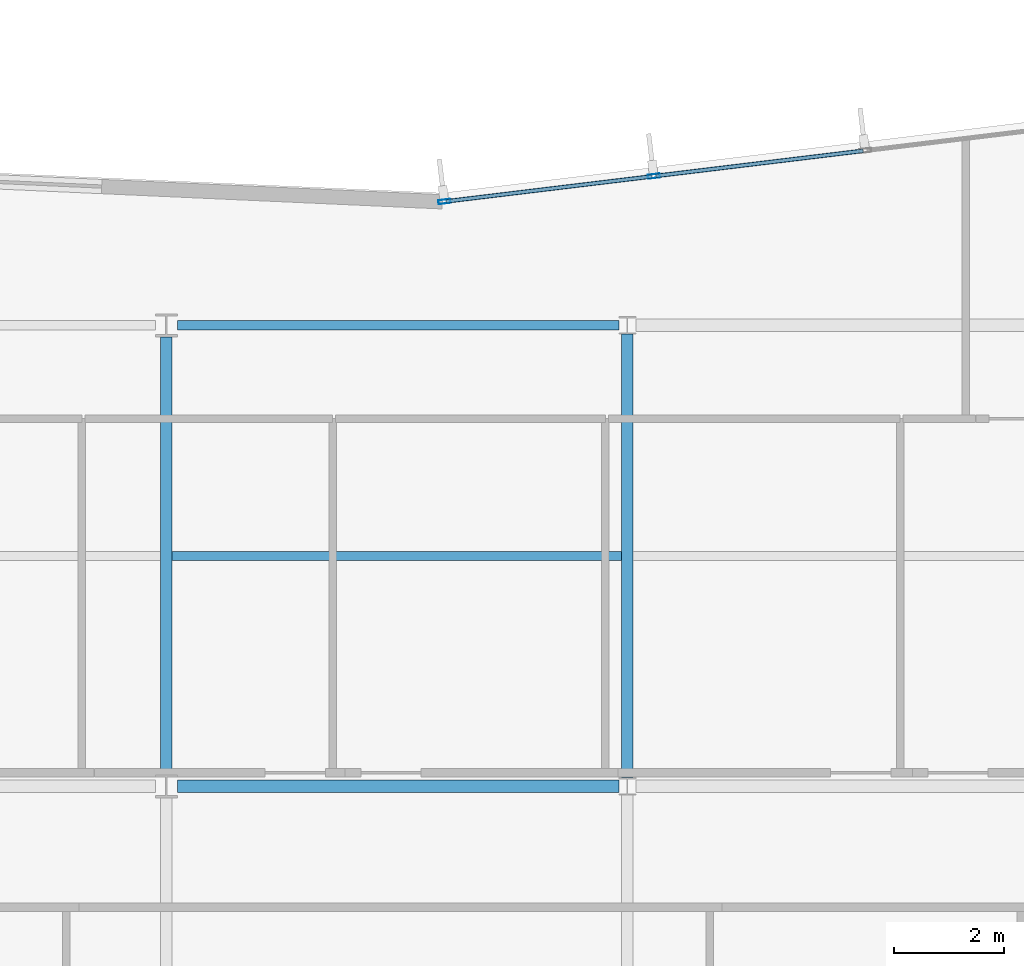
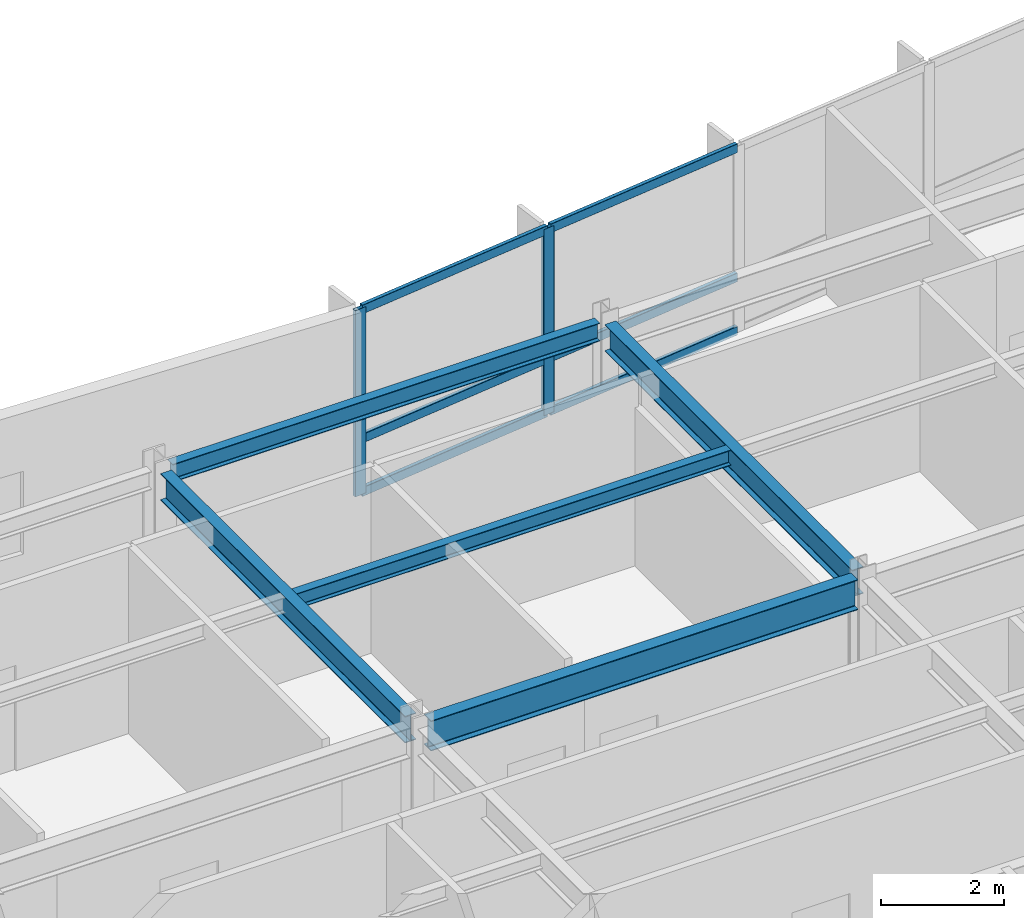
# One storey, part 6 of 17: 8 members, 5 beams, 1 element without a shape of its own.
"""IFC4 building model written with IfcOpenShell, lengths in metres."""

from ifc_helpers import new_model, si_unit, direction, frame, origin, origin_2d, place, context, subcontext, project, spatial, hollow_rectangle, i_section, extrude, material, layer, layer_set, material_profile, profile_set, type_object, element, aggregate, save


model = new_model("IFC4")

# Units and contexts
model_context = context("Model", 3, precision=1e-05, world=origin(), true_north=direction((0.0, 1.0)))
body_context = subcontext(model_context, "Body", "Model", "MODEL_VIEW")
ifc_project = project(units=[si_unit("LENGTHUNIT", "METRE"), si_unit("AREAUNIT", "SQUARE_METRE"), si_unit("VOLUMEUNIT", "CUBIC_METRE"), si_unit("PLANEANGLEUNIT", "RADIAN"), si_unit("MASSUNIT", "GRAM", prefix="KILO")], contexts=[model_context])

# Site, building, storey
site_placement = place(None, origin())
site = spatial("IfcSite", under=ifc_project, at=site_placement, CompositionType="ELEMENT")
building_placement = place(site_placement, origin())
building = spatial("IfcBuilding", under=site, at=building_placement, Name="Varnakote Quay Hospital", CompositionType="ELEMENT")
storey_placement = place(building_placement, frame((0.0, 0.0, 127.050048828125)))
storey = spatial("IfcBuildingStorey", under=building, at=storey_placement, Name="L31", CompositionType="ELEMENT", Elevation=127.050048828125)

# Beams
ifc_material_1 = material(Name="Structural steel AS/NZS 3679.1 Grade 350 L0 (fy 340 MPa)", Category="steel")
ifc_material_profile_1 = material_profile(ifc_material_1, i_section(OverallWidth=0.208984375, OverallDepth=0.532958984375, WebThickness=0.01025390625, FlangeThickness=0.015625, FilletRadius=0.013916015625, at=origin_2d()), Name="530UB92.4")
ifc_profile_set_1 = profile_set([ifc_material_profile_1], Name="Structural steel AS/NZS 3679.1 Grade 350 L0 (fy 340 MPa)")
beam_type_1 = type_object("IfcBeamType", Name="BM-STL-530UB92-4", PredefinedType="BEAM", material=ifc_profile_set_1)
beam_1_placement = place(storey_placement, frame((33.60009765625, 20.610107421875, 3.443359375), z_axis=(0.0, 1.0, 0.0), x_axis=(-1.0, 0.0, 0.0)))
element("IfcBeam", 1, at=beam_1_placement, inside=storey, type_object=beam_type_1, Name="L31 Primary Tie Beam", PredefinedType="BEAM", context=body_context, shape_type="SweptSolid", body=[
    extrude(i_section(OverallWidth=0.208984375, OverallDepth=0.532958984375, WebThickness=0.01025390625, FlangeThickness=0.015625, FilletRadius=0.013916015625, at=origin_2d()), origin(), (0.0, 0.0, 1.0), 7.97998046875),
])
beam_2_placement = place(storey_placement, frame((42.0, 20.560546875, 3.443359375), z_axis=(0.0, 1.0, 0.0), x_axis=(-1.0, 0.0, 0.0)))
element("IfcBeam", 2, at=beam_2_placement, inside=storey, type_object=beam_type_1, Name="L31 Primary Tie Beam", PredefinedType="BEAM", context=body_context, shape_type="SweptSolid", body=[
    extrude(i_section(OverallWidth=0.208984375, OverallDepth=0.532958984375, WebThickness=0.01025390625, FlangeThickness=0.015625, FilletRadius=0.013916015625, at=origin_2d()), origin(), (0.0, 0.0, 1.0), 8.078857421875),
])
ifc_material_2 = material(Name="Structural steel AS/NZS 3679.1 Grade 350 L0 (fy 340 MPa)", Category="steel")
ifc_material_profile_2 = material_profile(ifc_material_2, i_section(OverallWidth=0.22802734375, OverallDepth=0.60205078125, WebThickness=0.010498046875, FlangeThickness=0.014892578125, FilletRadius=0.013916015625, at=origin_2d()), Name="610UB101")
ifc_profile_set_2 = profile_set([ifc_material_profile_2], Name="Structural steel AS/NZS 3679.1 Grade 350 L0 (fy 340 MPa)")
beam_type_2 = type_object("IfcBeamType", Name="BM-STL-610UB101", PredefinedType="BEAM", material=ifc_profile_set_2)
beam_3_placement = place(storey_placement, frame((33.800048828125, 20.39990234375, 3.408935546875), z_axis=(1.0, 0.0, 0.0), x_axis=(0.0, 1.0, 0.0)))
element("IfcBeam", 3, at=beam_3_placement, inside=storey, type_object=beam_type_2, Name="L31 Primary Floor Beam", PredefinedType="BEAM", context=body_context, shape_type="SweptSolid", body=[
    extrude(i_section(OverallWidth=0.22802734375, OverallDepth=0.60205078125, WebThickness=0.010498046875, FlangeThickness=0.014892578125, FilletRadius=0.013916015625, at=origin_2d()), origin(), (0.0, 0.0, 1.0), 8.04541015625),
])

# Curtain wall, members
ifc_material_3 = material(Name="Anodised aluminium 6063-T6 Bronze", Category="aluminium")
ifc_layer = layer(ifc_material_3, 0.205078125)
ifc_layer_set = layer_set([ifc_layer], Name="Anodised aluminium 6063-T6 Bronze")
curtain_wall_type = type_object("IfcCurtainWallType", Name="CW-SYS-3", PredefinedType="NOTDEFINED", material=ifc_layer_set)
curtain_wall_placement = place(storey_placement, origin())
curtain_wall = element("IfcCurtainWall", 4, at=curtain_wall_placement, inside=storey, type_object=curtain_wall_type, Name="L31 Unitised Bronze Curtain Wall 2", PredefinedType="NOTDEFINED")
ifc_material_4 = material(Name="Anodised aluminium 6063-T6 Bronze", Category="aluminium")
ifc_material_profile_3 = material_profile(ifc_material_4, hollow_rectangle(XDim=0.074951171875, YDim=0.219970703125, WallThickness=0.00439453125, InnerFilletRadius=0.00439453125, OuterFilletRadius=0.009033203125, at=origin_2d()), Name="CW-MULL-220x75")
ifc_profile_set_3 = profile_set([ifc_material_profile_3], Name="Anodised aluminium 6063-T6 Bronze")
member_type_1 = type_object("IfcMemberType", Name="CW-MULL-220x75", PredefinedType="MULLION", material=ifc_profile_set_3)
member_1_placement = place(storey_placement, frame((42.482666015625, 31.5185546875, 0.0), z_axis=(0.0, 0.0, 1.0), x_axis=(0.12032713492, -0.992734295067, 0.0)))
member_1 = element("IfcMember", 5, at=member_1_placement, type_object=member_type_1, Name="-3-L31-2 mullion 4", PredefinedType="MULLION", context=body_context, shape_type="SweptSolid", body=[
    extrude(hollow_rectangle(XDim=0.074951171875, YDim=0.219970703125, WallThickness=0.00439453125, InnerFilletRadius=0.00439453125, OuterFilletRadius=0.009033203125, at=origin_2d()), origin(), (0.0, 0.0, 1.0), 3.7099609375),
])
member_2_placement = place(storey_placement, frame((38.667236328125, 31.05615234375, 0.0), z_axis=(0.0, 0.0, 1.0), x_axis=(0.12032713492, -0.992734295067, 0.0)))
member_2 = element("IfcMember", 6, at=member_2_placement, type_object=member_type_1, Name="-3-L31-2 mullion 5", PredefinedType="MULLION", context=body_context, shape_type="SweptSolid", body=[
    extrude(hollow_rectangle(XDim=0.074951171875, YDim=0.219970703125, WallThickness=0.00439453125, InnerFilletRadius=0.00439453125, OuterFilletRadius=0.009033203125, at=origin_2d()), origin(), (0.0, 0.0, 1.0), 3.7099609375),
])
ifc_material_5 = material(Name="Anodised aluminium 6063-T6 Bronze", Category="aluminium")
ifc_material_profile_4 = material_profile(ifc_material_5, hollow_rectangle(XDim=0.074951171875, YDim=0.179931640625, WallThickness=0.004150390625, InnerFilletRadius=0.004150390625, OuterFilletRadius=0.00830078125, at=origin_2d()), Name="CW-TRAN-180x75")
ifc_profile_set_4 = profile_set([ifc_material_profile_4], Name="Anodised aluminium 6063-T6 Bronze")
member_type_2 = type_object("IfcMemberType", Name="CW-TRAN-180x75", PredefinedType="USERDEFINED", material=ifc_profile_set_4)
member_3_placement = place(storey_placement, frame((46.2978515625, 31.98095703125, 0.037353515625), z_axis=(-0.992731924158, -0.120346694005, 0.0), x_axis=(0.120346694005, -0.992731924158, 0.0)))
member_3 = element("IfcMember", 7, at=member_3_placement, type_object=member_type_2, Name="-3-L31-2 transom 3.1", ObjectType="TRANSOM", PredefinedType="USERDEFINED", context=body_context, shape_type="SweptSolid", body=[
    extrude(hollow_rectangle(XDim=0.074951171875, YDim=0.179931640625, WallThickness=0.004150390625, InnerFilletRadius=0.004150390625, OuterFilletRadius=0.00830078125, at=origin_2d()), origin(), (0.0, 0.0, 1.0), 3.8056640625),
])
member_4_placement = place(storey_placement, frame((46.2978515625, 31.98095703125, 1.099853515625), z_axis=(-0.992731924158, -0.120346694005, 0.0), x_axis=(0.120346694005, -0.992731924158, 0.0)))
member_4 = element("IfcMember", 8, at=member_4_placement, type_object=member_type_2, Name="-3-L31-2 transom 3.2", ObjectType="TRANSOM", PredefinedType="USERDEFINED", context=body_context, shape_type="SweptSolid", body=[
    extrude(hollow_rectangle(XDim=0.074951171875, YDim=0.179931640625, WallThickness=0.004150390625, InnerFilletRadius=0.004150390625, OuterFilletRadius=0.00830078125, at=origin_2d()), origin(), (0.0, 0.0, 1.0), 3.8056640625),
])
member_5_placement = place(storey_placement, frame((46.2978515625, 31.98095703125, 3.67236328125), z_axis=(-0.992731924158, -0.120346694005, 0.0), x_axis=(0.120346694005, -0.992731924158, 0.0)))
member_5 = element("IfcMember", 9, at=member_5_placement, type_object=member_type_2, Name="-3-L31-2 transom 3.3", ObjectType="TRANSOM", PredefinedType="USERDEFINED", context=body_context, shape_type="SweptSolid", body=[
    extrude(hollow_rectangle(XDim=0.074951171875, YDim=0.179931640625, WallThickness=0.004150390625, InnerFilletRadius=0.004150390625, OuterFilletRadius=0.00830078125, at=origin_2d()), origin(), (0.0, 0.0, 1.0), 3.8056640625),
])
member_6_placement = place(storey_placement, frame((42.4453125, 31.513916015625, 0.037353515625), z_axis=(-0.992735423717, -0.120317822859, 0.0), x_axis=(0.120317822859, -0.992735423717, 0.0)))
member_6 = element("IfcMember", 10, at=member_6_placement, type_object=member_type_2, Name="-3-L31-2 transom 4.1", ObjectType="TRANSOM", PredefinedType="USERDEFINED", context=body_context, shape_type="SweptSolid", body=[
    extrude(hollow_rectangle(XDim=0.074951171875, YDim=0.179931640625, WallThickness=0.004150390625, InnerFilletRadius=0.004150390625, OuterFilletRadius=0.00830078125, at=origin_2d()), origin(), (0.0, 0.0, 1.0), 3.76806640625),
])
member_7_placement = place(storey_placement, frame((42.4453125, 31.513916015625, 1.099853515625), z_axis=(-0.992735423717, -0.120317822859, 0.0), x_axis=(0.120317822859, -0.992735423717, 0.0)))
member_7 = element("IfcMember", 11, at=member_7_placement, type_object=member_type_2, Name="-3-L31-2 transom 4.2", ObjectType="TRANSOM", PredefinedType="USERDEFINED", context=body_context, shape_type="SweptSolid", body=[
    extrude(hollow_rectangle(XDim=0.074951171875, YDim=0.179931640625, WallThickness=0.004150390625, InnerFilletRadius=0.004150390625, OuterFilletRadius=0.00830078125, at=origin_2d()), origin(), (0.0, 0.0, 1.0), 3.76806640625),
])
member_8_placement = place(storey_placement, frame((42.4453125, 31.513916015625, 3.67236328125), z_axis=(-0.992735423717, -0.120317822859, 0.0), x_axis=(0.120317822859, -0.992735423717, 0.0)))
member_8 = element("IfcMember", 12, at=member_8_placement, type_object=member_type_2, Name="-3-L31-2 transom 4.3", ObjectType="TRANSOM", PredefinedType="USERDEFINED", context=body_context, shape_type="SweptSolid", body=[
    extrude(hollow_rectangle(XDim=0.074951171875, YDim=0.179931640625, WallThickness=0.004150390625, InnerFilletRadius=0.004150390625, OuterFilletRadius=0.00830078125, at=origin_2d()), origin(), (0.0, 0.0, 1.0), 3.76806640625),
])
aggregate(curtain_wall, [member_1, member_2, member_3, member_4, member_5, member_6, member_7, member_8])

# Beams
ifc_material_6 = material(Name="Structural steel AS/NZS 3679.1 Grade 350 L0 (fy 340 MPa)", Category="steel")
ifc_material_profile_5 = material_profile(ifc_material_6, i_section(OverallWidth=0.166015625, OverallDepth=0.306884765625, WebThickness=0.006591796875, FlangeThickness=0.01171875, FilletRadius=0.011474609375, at=origin_2d()), Name="310UB46.2")
ifc_profile_set_5 = profile_set([ifc_material_profile_5], Name="Structural steel AS/NZS 3679.1 Grade 350 L0 (fy 340 MPa)")
beam_type_3 = type_object("IfcBeamType", Name="JST-STL-310UB46-2", PredefinedType="JOIST", material=ifc_profile_set_5)
beam_4_placement = place(storey_placement, frame((33.70458984375, 24.60009765625, 3.556396484375), z_axis=(1.0, 0.0, 0.0), x_axis=(0.0, 1.0, 0.0)))
element("IfcBeam", 13, at=beam_4_placement, inside=storey, type_object=beam_type_3, Name="L31 Composite Floor Joist", PredefinedType="JOIST", context=body_context, shape_type="SweptSolid", body=[
    extrude(i_section(OverallWidth=0.166015625, OverallDepth=0.306884765625, WebThickness=0.006591796875, FlangeThickness=0.01171875, FilletRadius=0.011474609375, at=origin_2d()), origin(), (0.0, 0.0, 1.0), 8.19091796875),
])
ifc_material_7 = material(Name="Structural steel AS/NZS 3679.1 Grade 350 L0 (fy 340 MPa)", Category="steel")
ifc_material_profile_6 = material_profile(ifc_material_7, i_section(OverallWidth=0.172119140625, OverallDepth=0.35888671875, WebThickness=0.008056640625, FlangeThickness=0.012939453125, FilletRadius=0.011474609375, at=origin_2d()), Name="360UB56.7")
ifc_profile_set_6 = profile_set([ifc_material_profile_6], Name="Structural steel AS/NZS 3679.1 Grade 350 L0 (fy 340 MPa)")
beam_type_4 = type_object("IfcBeamType", Name="SPN-STL-360UB56-7", PredefinedType="SPANDREL", material=ifc_profile_set_6)
beam_5_placement = place(storey_placement, frame((33.800048828125, 28.800048828125, 3.530517578125), z_axis=(1.0, 0.0, 0.0), x_axis=(0.0, 1.0, 0.0)))
element("IfcBeam", 14, at=beam_5_placement, inside=storey, type_object=beam_type_4, Name="L31 Perimeter Spandrel Beam", PredefinedType="SPANDREL", context=body_context, shape_type="SweptSolid", body=[
    extrude(i_section(OverallWidth=0.172119140625, OverallDepth=0.35888671875, WebThickness=0.008056640625, FlangeThickness=0.012939453125, FilletRadius=0.011474609375, at=origin_2d()), origin(), (0.0, 0.0, 1.0), 8.04541015625),
])

save(model, "model.ifc")
